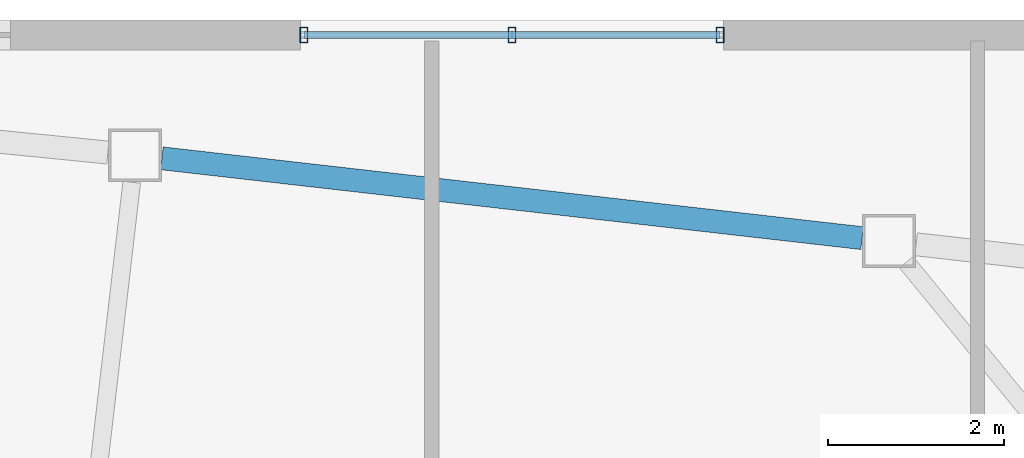
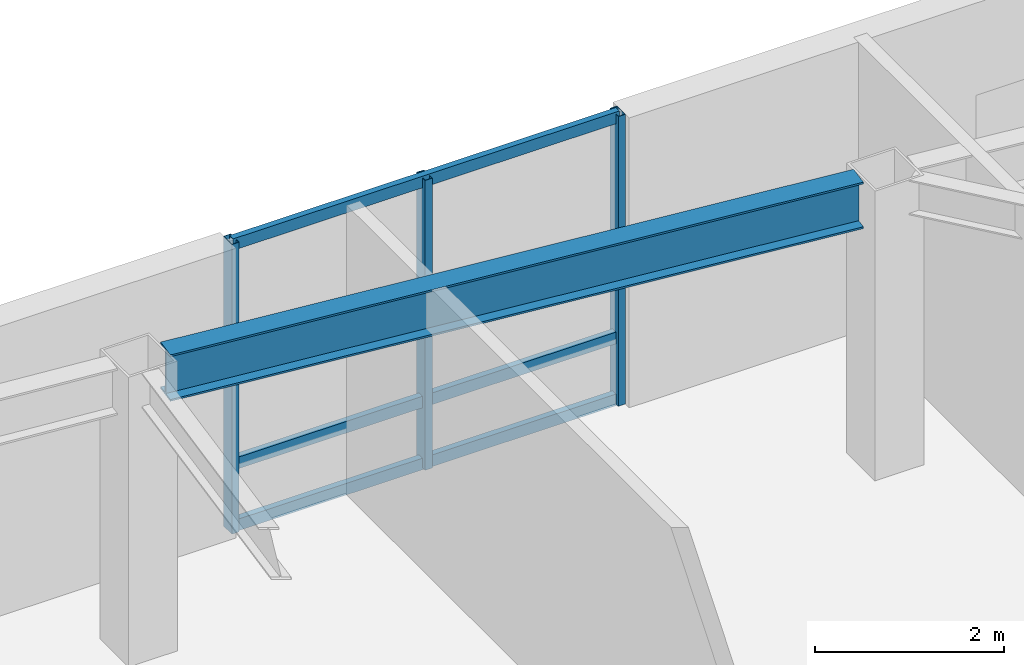
# One storey, part 7 of 17: 6 members, 1 beam, 1 element without a shape of its own.
"""IFC4 building model written with IfcOpenShell, lengths in metres."""

import ifcopenshell
import ifcopenshell.guid

model = None  # the IFC model being written
_history = None  # IfcOwnerHistory: only IFC2X3 demands one
_inside = {}  # id of a spatial element -> (the spatial element, [elements in it])
_under = {}  # id of a project, library or spatial element -> (it, [spatial elements below it])
_declared = {}  # id of a project -> (the project, [libraries it declares])
_typed = {}  # id of a type object -> (the type object, [elements of that type])
_made_of = {}  # id of a material, layer set ... -> (it, [elements and type objects made of it])


def new_model(schema):
    """Start an empty IFC model of exactly this schema.

    Asked for "IFC4X3", IfcOpenShell would pick the latest addendum, in which some entities
    have other attributes; the version numbers below select the first issue.
    IFC2X3 requires an IfcOwnerHistory on every rooted entity: one is made here for all.
    """
    global model, _history
    if schema == "IFC4X3":
        model = ifcopenshell.file(schema_version=(4, 3, 0, 0))
    else:
        model = ifcopenshell.file(schema=schema)
    _inside.clear()
    _under.clear()
    _declared.clear()
    _typed.clear()
    _made_of.clear()
    _history = None
    if model.schema == "IFC2X3":
        org = make("IfcOrganization", Name="unknown")
        user = make(
            "IfcPersonAndOrganization",
            ThePerson=make("IfcPerson", FamilyName="unknown"),
            TheOrganization=org,
        )
        app = make(
            "IfcApplication",
            ApplicationDeveloper=org,
            Version="unknown",
            ApplicationFullName="unknown",
            ApplicationIdentifier="unknown",
        )
        _history = make(
            "IfcOwnerHistory",
            OwningUser=user,
            OwningApplication=app,
            ChangeAction="ADDED",
            CreationDate=0,
        )
    return model


def make(cls, **values):
    """One entity of the class cls with the attributes given. An attribute that is None is left unset."""
    return model.create_entity(
        cls, **{name: value for name, value in values.items() if value is not None}
    )


def rooted(cls, **values):
    """An entity with a GlobalId (a new one), such as an element, a storey or a relation."""
    return make(cls, GlobalId=ifcopenshell.guid.new(), OwnerHistory=_history, **values)


def si_unit(unit_type, name, prefix=None):
    """IfcSIUnit, for example si_unit("LENGTHUNIT", "METRE", prefix="MILLI")."""
    return make("IfcSIUnit", UnitType=unit_type, Prefix=prefix, Name=name)


def assignment(units):
    """IfcUnitAssignment: the units of a project."""
    return None if units is None else make("IfcUnitAssignment", Units=units)


def point(xyz):
    """IfcCartesianPoint."""
    return None if xyz is None else make("IfcCartesianPoint", Coordinates=xyz)


def direction(xyz):
    """IfcDirection."""
    return None if xyz is None else make("IfcDirection", DirectionRatios=xyz)


def frame(location, z_axis=None, x_axis=None):
    """IfcAxis2Placement3D, a coordinate frame: its origin and axes. An axis left out is left unset."""
    return make(
        "IfcAxis2Placement3D",
        Location=point(location),
        Axis=direction(z_axis),
        RefDirection=direction(x_axis),
    )


def frame_2d(location, x_axis=None):
    """IfcAxis2Placement2D, a coordinate frame in the plane: its origin and x axis."""
    return make(
        "IfcAxis2Placement2D", Location=point(location), RefDirection=direction(x_axis)
    )


def origin():
    """The frame at (0, 0, 0) with its axes left unset."""
    return frame((0.0, 0.0, 0.0))


def origin_2d():
    """The frame at (0, 0) in the plane with its x axis left unset."""
    return frame_2d((0.0, 0.0))


def place(relative_to, where):
    """IfcLocalPlacement: puts the frame where relative to a parent placement (None: the world)."""
    return make(
        "IfcLocalPlacement", PlacementRelTo=relative_to, RelativePlacement=where
    )


def context(
    kind, dimensions, precision=None, world=None, true_north=None, identifier=None
):
    """IfcGeometricRepresentationContext, for example the 3D "Model" context."""
    return make(
        "IfcGeometricRepresentationContext",
        ContextIdentifier=identifier,
        ContextType=kind,
        CoordinateSpaceDimension=dimensions,
        Precision=precision,
        WorldCoordinateSystem=world,
        TrueNorth=true_north,
    )


def subcontext(parent, identifier, kind, view, scale=None):
    """IfcGeometricRepresentationSubContext, for example "Body" below "Model"."""
    return make(
        "IfcGeometricRepresentationSubContext",
        ContextIdentifier=identifier,
        ContextType=kind,
        ParentContext=parent,
        TargetScale=scale,
        TargetView=view,
    )


def project(units=None, contexts=None):
    """IfcProject with its units and contexts."""
    return rooted(
        "IfcProject",
        Name="project",
        RepresentationContexts=contexts,
        UnitsInContext=assignment(units),
    )


def spatial(cls, under=None, at=None, **own):
    """A site, building, storey or space (cls), placed at a placement, below another one or the project."""
    s = rooted(cls, ObjectPlacement=at, **own)
    if under is not None:
        _under.setdefault(under.id(), (under, []))[1].append(s)
    return s


def profile(cls, at=None, kind="AREA", **sizes):
    """A parametric profile (cls). Its sizes go by their IFC names, for example OverallWidth=200.0."""
    return make(cls, ProfileType=kind, Position=at, **sizes)


def hollow_rectangle(**sizes):
    """IfcRectangleHollowProfileDef."""
    return profile("IfcRectangleHollowProfileDef", **sizes)


def i_section(**sizes):
    """IfcIShapeProfileDef."""
    return profile("IfcIShapeProfileDef", **sizes)


def extrude(swept, where, along, depth):
    """IfcExtrudedAreaSolid: the profile swept, set in the frame where, extruded along a direction by depth."""
    return make(
        "IfcExtrudedAreaSolid",
        SweptArea=swept,
        Position=where,
        ExtrudedDirection=direction(along),
        Depth=depth,
    )


def shape(context_of_items, identifier, shape_type, items):
    """IfcShapeRepresentation: the items that make up one representation, for example the "Body"."""
    return make(
        "IfcShapeRepresentation",
        ContextOfItems=context_of_items,
        RepresentationIdentifier=identifier,
        RepresentationType=shape_type,
        Items=items,
    )


def material(Name=None, Category=None):
    """IfcMaterial."""
    return make("IfcMaterial", Name=Name, Category=Category)


def layer(
    of_material, thickness, ventilated=None, Name=None, Category=None, Priority=None
):
    """IfcMaterialLayer: one layer of a wall or slab, of a material (None: an air gap)."""
    return make(
        "IfcMaterialLayer",
        Material=of_material,
        LayerThickness=thickness,
        IsVentilated=ventilated,
        Name=Name,
        Category=Category,
        Priority=Priority,
    )


def layer_set(layers, Name=None):
    """IfcMaterialLayerSet."""
    return make("IfcMaterialLayerSet", MaterialLayers=layers, LayerSetName=Name)


def material_profile(
    of_material, cross_section, Name=None, Category=None, Priority=None
):
    """IfcMaterialProfile: a cross section and its material."""
    return make(
        "IfcMaterialProfile",
        Name=Name,
        Material=of_material,
        Profile=cross_section,
        Priority=Priority,
        Category=Category,
    )


def profile_set(profiles, Name=None, composite=None):
    """IfcMaterialProfileSet."""
    return make(
        "IfcMaterialProfileSet",
        Name=Name,
        MaterialProfiles=profiles,
        CompositeProfile=composite,
    )


def made_of(thing, what):
    """Note that an element or type object is made of a material, layer set ...; save() writes the relation."""
    if what is not None:
        _made_of.setdefault(what.id(), (what, []))[1].append(thing)
    return thing


def type_object(cls, material=None, **own):
    """A type object (cls), such as IfcWallType, which elements share."""
    return made_of(rooted(cls, **own), material)


def element(
    cls,
    number,
    at=None,
    inside=None,
    cuts=None,
    type_object=None,
    material=None,
    context=None,
    identifier="Body",
    shape_type=None,
    held_by="IfcProductDefinitionShape",
    body=None,
    shapes=None,
    **own,
):
    """One element of the class cls, such as IfcWall. Its Tag is "e" and its number.

    at: its placement. inside: the storey or other place that contains it. cuts: it is an
    opening in that element (IfcRelVoidsElement). A single representation is given by context,
    identifier, shape_type and body (its items); several are given by shapes. held_by: the class
    of the entity that holds the representations. save() writes the other relations.
    """
    e = rooted(cls, Tag="e%d" % number, ObjectPlacement=at, **own)
    if body is not None:
        shapes = [shape(context, identifier, shape_type, body)]
    if shapes is not None:
        e.Representation = make(held_by, Representations=shapes)
    if inside is not None:
        _inside.setdefault(inside.id(), (inside, []))[1].append(e)
    if cuts is not None:
        rooted(
            "IfcRelVoidsElement", RelatingBuildingElement=cuts, RelatedOpeningElement=e
        )
    if type_object is not None:
        _typed.setdefault(type_object.id(), (type_object, []))[1].append(e)
    return made_of(e, material)


def aggregate(whole, parts):
    """IfcRelAggregates: a whole, such as a stair, and the parts it consists of."""
    return rooted("IfcRelAggregates", RelatingObject=whole, RelatedObjects=parts)


def save(model, path):
    """Write the relations noted so far, then the file.

    IfcRelAggregates (storeys below a building ...), IfcRelContainedInSpatialStructure (elements
    in a storey), IfcRelDefinesByType, IfcRelAssociatesMaterial and IfcRelDeclares: one each for
    every whole, place, type object, material and project.
    """
    for whole, parts in _under.values():
        aggregate(whole, parts)
    for where, things in _inside.values():
        rooted(
            "IfcRelContainedInSpatialStructure",
            RelatedElements=things,
            RelatingStructure=where,
        )
    for kind, things in _typed.values():
        rooted("IfcRelDefinesByType", RelatedObjects=things, RelatingType=kind)
    for what, things in _made_of.values():
        rooted("IfcRelAssociatesMaterial", RelatedObjects=things, RelatingMaterial=what)
    for by, libraries in _declared.values():
        rooted("IfcRelDeclares", RelatingContext=by, RelatedDefinitions=libraries)
    model.write(path)


model = new_model("IFC4")

# Units and contexts
model_context = context("Model", 3, precision=1e-05, world=origin(), true_north=direction((0.0, 1.0)))
body_context = subcontext(model_context, "Body", "Model", "MODEL_VIEW")
ifc_project = project(units=[si_unit("LENGTHUNIT", "METRE"), si_unit("AREAUNIT", "SQUARE_METRE"), si_unit("VOLUMEUNIT", "CUBIC_METRE"), si_unit("PLANEANGLEUNIT", "RADIAN"), si_unit("MASSUNIT", "GRAM", prefix="KILO")], contexts=[model_context])

# Site, building, storey
site_placement = place(None, origin())
site = spatial("IfcSite", under=ifc_project, at=site_placement, CompositionType="ELEMENT")
building_placement = place(site_placement, origin())
building = spatial("IfcBuilding", under=site, at=building_placement, Name="Tavrogorsk Clinical Tower", CompositionType="ELEMENT")
storey_placement = place(building_placement, frame((0.0, 0.0, 160.199951171875)))
storey = spatial("IfcBuildingStorey", under=building, at=storey_placement, Name="L36", CompositionType="ELEMENT", Elevation=160.199951171875)

# Curtain wall, members
ifc_material_1 = material(Name="Anodised aluminium and triple IGU glazing", Category="aluminium")
ifc_layer = layer(ifc_material_1, 0.179931640625)
ifc_layer_set = layer_set([ifc_layer], Name="Anodised aluminium and triple IGU glazing")
curtain_wall_type = type_object("IfcCurtainWallType", Name="CW2_NorthSlot", PredefinedType="NOTDEFINED", material=ifc_layer_set)
curtain_wall_placement = place(storey_placement, origin())
curtain_wall = element("IfcCurtainWall", 1, at=curtain_wall_placement, inside=storey, type_object=curtain_wall_type, Name="L36 Curtain Wall CW-L36-N-SLOT-2", PredefinedType="NOTDEFINED")
ifc_material_2 = material(Name="Anodised aluminium alloy AW-6060", Category="aluminium")
ifc_material_profile_1 = material_profile(ifc_material_2, hollow_rectangle(XDim=0.090087890625, YDim=0.179931640625, WallThickness=0.00634765625, at=origin_2d()), Name="RHS-180x90x6.3")
ifc_profile_set_1 = profile_set([ifc_material_profile_1], Name="Anodised aluminium alloy AW-6060")
member_type_1 = type_object("IfcMemberType", Name="CwMullion_180x90", PredefinedType="MULLION", material=ifc_profile_set_1)
member_1_placement = place(storey_placement, frame((13.26904296875, 26.929931640625, 0.0), z_axis=(0.0, 0.0, 1.0), x_axis=(-1.0, 0.0, 0.0)))
member_1 = element("IfcMember", 2, at=member_1_placement, type_object=member_type_1, Name="CW-L36-N-SLOT-2 Mullion 1", PredefinedType="MULLION", context=body_context, shape_type="SweptSolid", body=[
    extrude(hollow_rectangle(XDim=0.090087890625, YDim=0.179931640625, WallThickness=0.00634765625, at=origin_2d()), origin(), (0.0, 0.0, 1.0), 3.739990234375),
])
member_2_placement = place(storey_placement, frame((10.91015625, 26.929931640625, 0.0), z_axis=(0.0, 0.0, 1.0), x_axis=(-1.0, 0.0, 0.0)))
member_2 = element("IfcMember", 3, at=member_2_placement, type_object=member_type_1, Name="CW-L36-N-SLOT-2 Mullion 2", PredefinedType="MULLION", context=body_context, shape_type="SweptSolid", body=[
    extrude(hollow_rectangle(XDim=0.090087890625, YDim=0.179931640625, WallThickness=0.00634765625, at=origin_2d()), origin(), (0.0, 0.0, 1.0), 3.739990234375),
])
member_3_placement = place(storey_placement, frame((8.551025390625, 26.929931640625, 0.0), z_axis=(0.0, 0.0, 1.0), x_axis=(-1.0, 0.0, 0.0)))
member_3 = element("IfcMember", 4, at=member_3_placement, type_object=member_type_1, Name="CW-L36-N-SLOT-2 Mullion 3", PredefinedType="MULLION", context=body_context, shape_type="SweptSolid", body=[
    extrude(hollow_rectangle(XDim=0.090087890625, YDim=0.179931640625, WallThickness=0.00634765625, at=origin_2d()), origin(), (0.0, 0.0, 1.0), 3.739990234375),
])
ifc_material_3 = material(Name="Anodised aluminium alloy AW-6060", Category="aluminium")
ifc_material_profile_2 = material_profile(ifc_material_3, hollow_rectangle(XDim=0.074951171875, YDim=0.14990234375, WallThickness=0.0048828125, at=origin_2d()), Name="RHS-150x75x5")
ifc_profile_set_2 = profile_set([ifc_material_profile_2], Name="Anodised aluminium alloy AW-6060")
member_type_2 = type_object("IfcMemberType", Name="CwTransom_150x75", PredefinedType="USERDEFINED", material=ifc_profile_set_2)
member_4_placement = place(storey_placement, frame((13.26904296875, 26.929931640625, 0.050048828125), z_axis=(-1.0, 0.0, 0.0), x_axis=(0.0, -1.0, 0.0)))
member_4 = element("IfcMember", 5, at=member_4_placement, type_object=member_type_2, Name="CW-L36-N-SLOT-2 Transom 1", ObjectType="TRANSOM", PredefinedType="USERDEFINED", context=body_context, shape_type="SweptSolid", body=[
    extrude(hollow_rectangle(XDim=0.074951171875, YDim=0.14990234375, WallThickness=0.0048828125, at=origin_2d()), origin(), (0.0, 0.0, 1.0), 4.718017578125),
])
member_5_placement = place(storey_placement, frame((13.26904296875, 26.929931640625, 0.85009765625), z_axis=(-1.0, 0.0, 0.0), x_axis=(0.0, -1.0, 0.0)))
member_5 = element("IfcMember", 6, at=member_5_placement, type_object=member_type_2, Name="CW-L36-N-SLOT-2 Transom 2", ObjectType="TRANSOM", PredefinedType="USERDEFINED", context=body_context, shape_type="SweptSolid", body=[
    extrude(hollow_rectangle(XDim=0.074951171875, YDim=0.14990234375, WallThickness=0.0048828125, at=origin_2d()), origin(), (0.0, 0.0, 1.0), 4.718017578125),
])
member_6_placement = place(storey_placement, frame((13.26904296875, 26.929931640625, 3.68994140625), z_axis=(-1.0, 0.0, 0.0), x_axis=(0.0, -1.0, 0.0)))
member_6 = element("IfcMember", 7, at=member_6_placement, type_object=member_type_2, Name="CW-L36-N-SLOT-2 Transom 3", ObjectType="TRANSOM", PredefinedType="USERDEFINED", context=body_context, shape_type="SweptSolid", body=[
    extrude(hollow_rectangle(XDim=0.074951171875, YDim=0.14990234375, WallThickness=0.0048828125, at=origin_2d()), origin(), (0.0, 0.0, 1.0), 4.718017578125),
])
aggregate(curtain_wall, [member_1, member_2, member_3, member_4, member_5, member_6])

# Beam
ifc_material_4 = material(Name="Structural steel S390", Category="steel")
ifc_material_profile_3 = material_profile(ifc_material_4, i_section(OverallWidth=0.260009765625, OverallDepth=0.60009765625, WebThickness=0.014892578125, FlangeThickness=0.02392578125, at=origin_2d()), Name="B-600x260x15x24")
ifc_profile_set_3 = profile_set([ifc_material_profile_3], Name="Structural steel S390")
beam_type = type_object("IfcBeamType", Name="SpandrelBeam_B600", PredefinedType="SPANDREL", material=ifc_profile_set_3)
beam_placement = place(storey_placement, frame((14.8798828125, 24.626953125, 3.43994140625), z_axis=(-0.993569449752, 0.113224328304, 0.0), x_axis=(-0.113224328304, -0.993569449752, 0.0)))
element("IfcBeam", 8, at=beam_placement, inside=storey, type_object=beam_type, Name="L36 Perimeter Spandrel N3-N4", PredefinedType="SPANDREL", context=body_context, shape_type="SweptSolid", body=[
    extrude(i_section(OverallWidth=0.260009765625, OverallDepth=0.60009765625, WebThickness=0.014892578125, FlangeThickness=0.02392578125, at=origin_2d()), origin(), (0.0, 0.0, 1.0), 7.990966796875),
])

save(model, "model.ifc")
